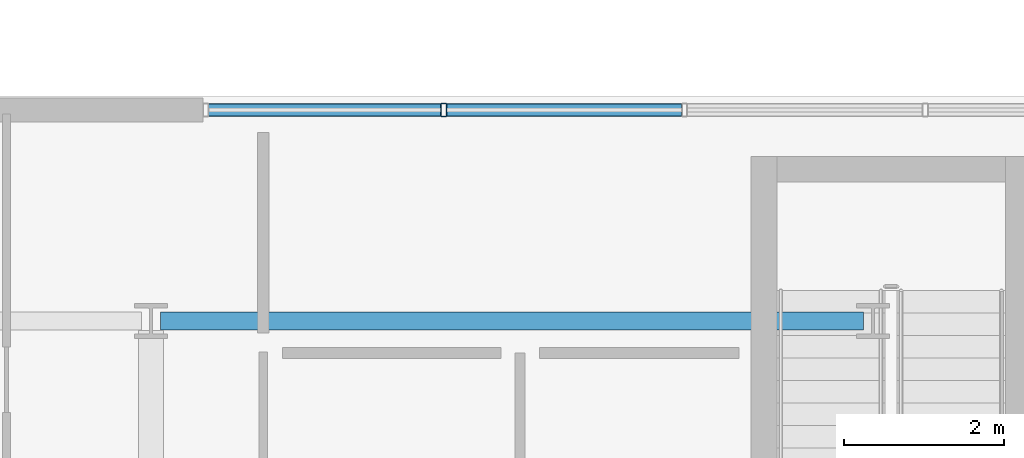
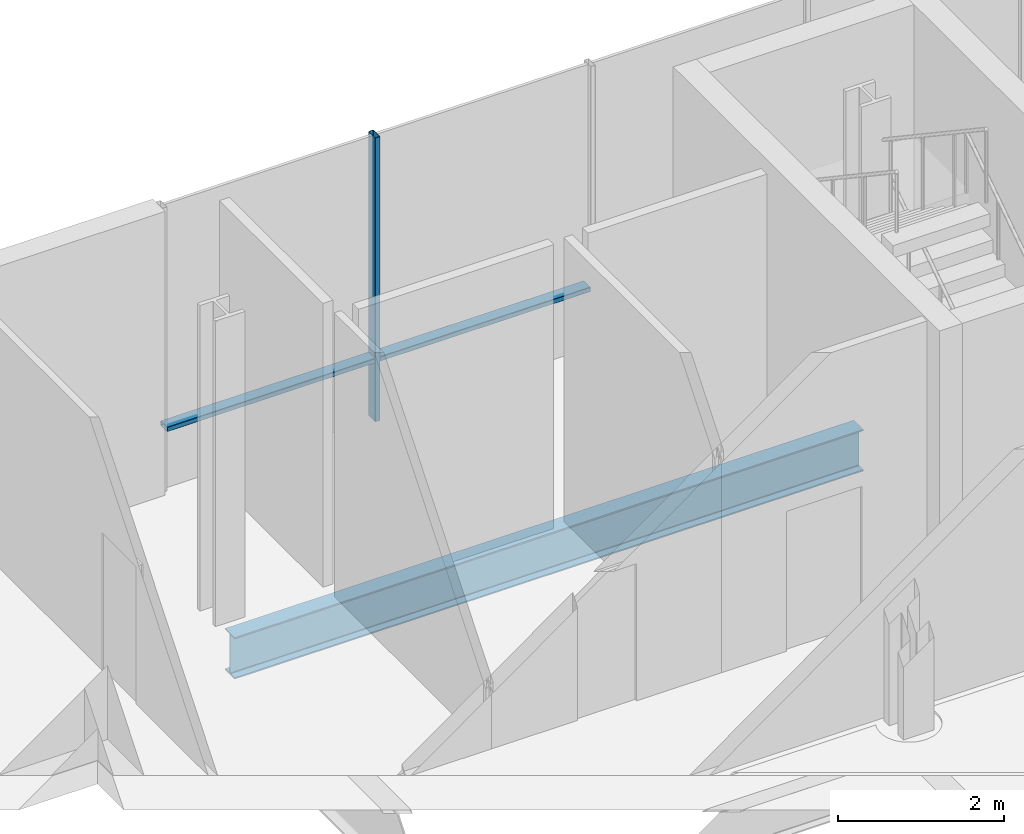
# One storey, part 11 of 28: 3 members, 1 beam, 1 element without a shape of its own.
"""IFC4 building model written with IfcOpenShell, lengths in metres."""

from ifc_helpers import new_model, si_unit, direction, frame, origin, origin_2d, place, context, subcontext, project, spatial, hollow_rectangle, i_section, extrude, material, layer, layer_set, material_profile, profile_set, type_object, element, aggregate, save


model = new_model("IFC4")

# Units and contexts
model_context = context("Model", 3, precision=1e-05, world=origin(), true_north=direction((0.0, 1.0)))
body_context = subcontext(model_context, "Body", "Model", "MODEL_VIEW")
ifc_project = project(units=[si_unit("LENGTHUNIT", "METRE"), si_unit("AREAUNIT", "SQUARE_METRE"), si_unit("VOLUMEUNIT", "CUBIC_METRE"), si_unit("PLANEANGLEUNIT", "RADIAN"), si_unit("MASSUNIT", "GRAM", prefix="KILO")], contexts=[model_context])

# Site, building, storey
site_placement = place(None, origin())
site = spatial("IfcSite", under=ifc_project, at=site_placement, CompositionType="ELEMENT")
building_placement = place(site_placement, origin())
building = spatial("IfcBuilding", under=site, at=building_placement, Name="Brevholm Reach", CompositionType="ELEMENT")
storey_placement = place(building_placement, origin())
storey = spatial("IfcBuildingStorey", under=building, at=storey_placement, Name="L00", CompositionType="ELEMENT", Elevation=0.0)

# Beam
ifc_material_1 = material(Name="Structural Steel S355J2", Category="steel")
ifc_material_profile_1 = material_profile(ifc_material_1, i_section(OverallWidth=0.22900390625, OverallDepth=0.6123046875, WebThickness=0.011962890625, FlangeThickness=0.01953125, FilletRadius=0.0126953125, at=origin_2d()), Name="UKB 610x229x125")
ifc_profile_set_1 = profile_set([ifc_material_profile_1], Name="Structural Steel S355J2")
beam_type = type_object("IfcBeamType", Name="BM-SP610", PredefinedType="SPANDREL", material=ifc_profile_set_1)
beam_placement = place(storey_placement, frame((48.1201171875, 37.199951171875, -0.64599609375), z_axis=(1.0, 0.0, 0.0), x_axis=(0.0, 1.0, 0.0)))
element("IfcBeam", 1, at=beam_placement, inside=storey, type_object=beam_type, Name="L00 SP-01 Framing Beam", PredefinedType="SPANDREL", context=body_context, shape_type="SweptSolid", body=[
    extrude(i_section(OverallWidth=0.22900390625, OverallDepth=0.6123046875, WebThickness=0.011962890625, FlangeThickness=0.01953125, FilletRadius=0.0126953125, at=origin_2d()), origin(), (0.0, 0.0, 1.0), 8.759765625),
])

# Curtain wall, members
ifc_material_2 = material(Name="Dark Anodised Aluminium 6063-T6 and Solar-Control Glass", Category="aluminium")
ifc_layer = layer(ifc_material_2, 0.1650390625)
ifc_layer_set = layer_set([ifc_layer], Name="Dark Anodised Aluminium 6063-T6 and Solar-Control Glass")
curtain_wall_type = type_object("IfcCurtainWallType", Name="CW-03", PredefinedType="NOTDEFINED", material=ifc_layer_set)
curtain_wall_placement = place(storey_placement, origin())
curtain_wall = element("IfcCurtainWall", 2, at=curtain_wall_placement, inside=storey, type_object=curtain_wall_type, Name="L00 Curtain Wall CW-03", PredefinedType="NOTDEFINED")
ifc_material_3 = material(Name="Dark Anodised Aluminium 6063-T6", Category="aluminium")
ifc_material_profile_2 = material_profile(ifc_material_3, hollow_rectangle(XDim=0.070068359375, YDim=0.1650390625, WallThickness=0.0048828125, InnerFilletRadius=0.0048828125, OuterFilletRadius=0.010009765625, at=origin_2d()), Name="RHS 165x70x5")
ifc_profile_set_2 = profile_set([ifc_material_profile_2], Name="Dark Anodised Aluminium 6063-T6")
member_type_1 = type_object("IfcMemberType", Name="CWM-165", PredefinedType="MULLION", material=ifc_profile_set_2)
member_1_placement = place(storey_placement, frame((51.64990234375, 39.830078125, 0.0), z_axis=(0.0, 0.0, 1.0), x_axis=(1.0, 0.0, 0.0)))
member_1 = element("IfcMember", 3, at=member_1_placement, type_object=member_type_1, Name="CM-165 Mullion 2", PredefinedType="MULLION", context=body_context, shape_type="SweptSolid", body=[
    extrude(hollow_rectangle(XDim=0.070068359375, YDim=0.1650390625, WallThickness=0.0048828125, InnerFilletRadius=0.0048828125, OuterFilletRadius=0.010009765625, at=origin_2d()), origin(), (0.0, 0.0, 1.0), 4.179931640625),
])
ifc_material_4 = material(Name="Dark Anodised Aluminium 6063-T6", Category="aluminium")
ifc_material_profile_3 = material_profile(ifc_material_4, hollow_rectangle(XDim=0.070068359375, YDim=0.1650390625, WallThickness=0.0048828125, InnerFilletRadius=0.0048828125, OuterFilletRadius=0.010009765625, at=origin_2d()), Name="RHS 165x70x5")
ifc_profile_set_3 = profile_set([ifc_material_profile_3], Name="Dark Anodised Aluminium 6063-T6")
member_type_2 = type_object("IfcMemberType", Name="CWT-165", PredefinedType="NOTDEFINED", material=ifc_profile_set_3)
member_2_placement = place(storey_placement, frame((48.719970703125, 39.830078125, 0.89990234375), z_axis=(1.0, 0.0, 0.0), x_axis=(0.0, 0.0, 1.0)))
member_2 = element("IfcMember", 4, at=member_2_placement, type_object=member_type_2, Name="CT-165 Transom 1.1", ObjectType="TRANSOM", PredefinedType="USERDEFINED", context=body_context, shape_type="SweptSolid", body=[
    extrude(hollow_rectangle(XDim=0.070068359375, YDim=0.1650390625, WallThickness=0.0048828125, InnerFilletRadius=0.0048828125, OuterFilletRadius=0.010009765625, at=origin_2d()), origin(), (0.0, 0.0, 1.0), 2.89501953125),
])
member_3_placement = place(storey_placement, frame((51.68505859375, 39.830078125, 0.89990234375), z_axis=(1.0, 0.0, 0.0), x_axis=(0.0, 0.0, 1.0)))
member_3 = element("IfcMember", 5, at=member_3_placement, type_object=member_type_2, Name="CT-165 Transom 2.1", ObjectType="TRANSOM", PredefinedType="USERDEFINED", context=body_context, shape_type="SweptSolid", body=[
    extrude(hollow_rectangle(XDim=0.070068359375, YDim=0.1650390625, WallThickness=0.0048828125, InnerFilletRadius=0.0048828125, OuterFilletRadius=0.010009765625, at=origin_2d()), origin(), (0.0, 0.0, 1.0), 2.929931640625),
])
aggregate(curtain_wall, [member_1, member_2, member_3])

save(model, "model.ifc")
